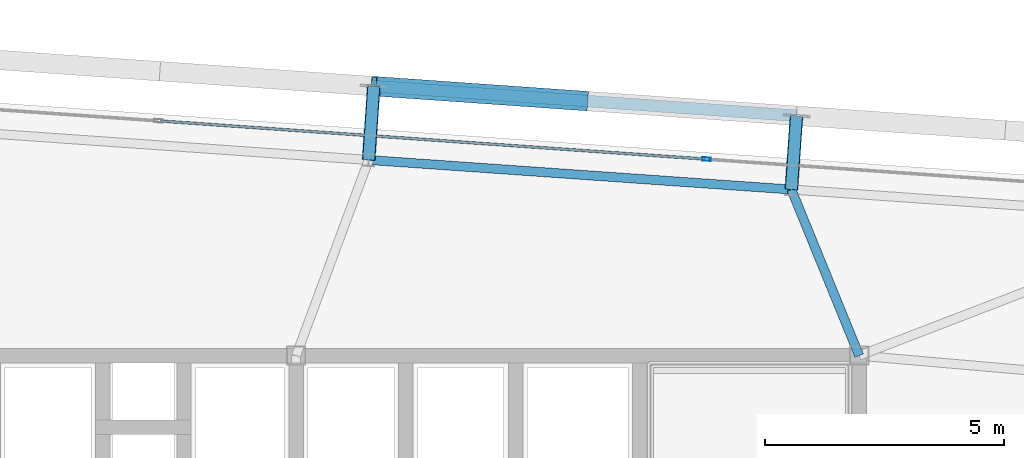
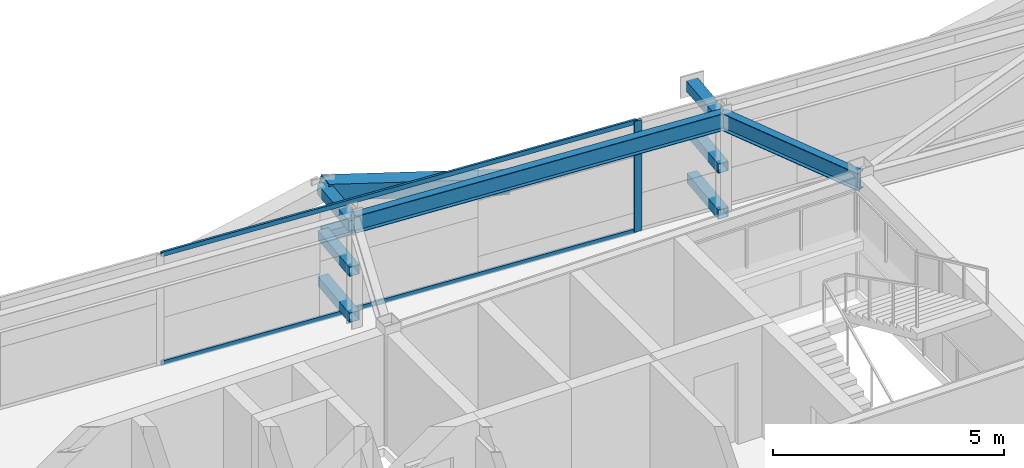
# One storey, part 23 of 39: 11 members, 2 beams, 1 element without a shape of its own.
"""IFC4 building model written with IfcOpenShell, lengths in metres."""

from ifc_helpers import new_model, si_unit, direction, frame, origin, origin_2d, place, context, subcontext, project, spatial, hollow_rectangle, i_section, extrude, source, transform, mapped, material, layer, layer_set, material_profile, profile_set, type_object, element, aggregate, save


model = new_model("IFC4")

# Units and contexts
model_context = context("Model", 3, precision=1e-05, world=origin(), true_north=direction((0.0, 1.0)))
body_context = subcontext(model_context, "Body", "Model", "MODEL_VIEW")
ifc_project = project(units=[si_unit("LENGTHUNIT", "METRE"), si_unit("AREAUNIT", "SQUARE_METRE"), si_unit("VOLUMEUNIT", "CUBIC_METRE"), si_unit("PLANEANGLEUNIT", "RADIAN"), si_unit("MASSUNIT", "GRAM", prefix="KILO")], contexts=[model_context])

# Site, building, storey
site_placement = place(None, origin())
site = spatial("IfcSite", under=ifc_project, at=site_placement, CompositionType="ELEMENT")
building_placement = place(site_placement, origin())
building = spatial("IfcBuilding", under=site, at=building_placement, Name="Taldren Reach Tower", CompositionType="ELEMENT")
storey_placement = place(building_placement, frame((0.0, 0.0, 133.0)))
storey = spatial("IfcBuildingStorey", under=building, at=storey_placement, Name="L40", CompositionType="ELEMENT", Elevation=133.0)

# Members
ifc_material_1 = material(Name="Steel Gr 450 (C450L0)", Category="steel")
ifc_material_profile_1 = material_profile(ifc_material_1, hollow_rectangle(XDim=0.27490234375, YDim=0.27490234375, WallThickness=0.00927734375, at=origin_2d()), Name="275x275x9.3SHS")
ifc_profile_set_1 = profile_set([ifc_material_profile_1], Name="Steel Gr 450 (C450L0)")
member_type_1 = type_object("IfcMemberType", Name="MB-TIE273", PredefinedType="STRUT", material=ifc_profile_set_1)
shared_shape_1 = source(origin(), body_context, "Body", "SweptSolid", [
    extrude(hollow_rectangle(XDim=0.27490234375, YDim=0.27490234375, WallThickness=0.00927734375, at=origin_2d()), origin(), (0.0, 0.0, 1.0), 1.550048828125),
])
for number, where, z_axis, x_axis, name in (
    (1, (40.7197265625, 36.100341796875, 2.64990234375), (0.06976957191, 0.99756313426, 0.0), (-0.99756313426, 0.06976957191, 0.0), "Exoskeleton diaphragm tie strut B3-N4 L40"),
    (2, (49.578125, 35.48095703125, 2.64990234375), (0.06976957191, 0.99756313426, 0.0), (-0.99756313426, 0.06976957191, 0.0), "Exoskeleton diaphragm tie strut B3-N5 L40"),
):
    element("IfcMember", number, at=place(storey_placement, frame(where, z_axis=z_axis, x_axis=x_axis)), inside=storey, type_object=member_type_1, Name=name, PredefinedType="STRUT", context=body_context, shape_type="MappedRepresentation", body=[
        mapped(shared_shape_1, transform((0.0, 0.0, 0.0), scale=1.0)),
    ])
ifc_material_2 = material(Name="Steel Gr 350 (C350L0)", Category="steel")
ifc_material_profile_2 = material_profile(ifc_material_2, hollow_rectangle(XDim=0.25, YDim=0.25, WallThickness=0.010009765625, at=origin_2d()), Name="250x250x10.0SHS")
ifc_profile_set_2 = profile_set([ifc_material_profile_2], Name="Steel Gr 350 (C350L0)")
member_type_2 = type_object("IfcMemberType", Name="MB-POST250", PredefinedType="POST", material=ifc_profile_set_2)
shared_shape_2 = source(origin(), body_context, "Body", "SweptSolid", [
    extrude(hollow_rectangle(XDim=0.25, YDim=0.25, WallThickness=0.010009765625, at=origin_2d()), origin(), (0.0, 0.0, 1.0), 1.550048828125),
])
for number, where, z_axis, x_axis, name in (
    (3, (40.7197265625, 36.100341796875, 0.219970703125), (0.06976957191, 0.99756313426, 0.0), (-0.99756313426, 0.06976957191, 0.0), "Exoskeleton base diaphragm tie strut B3-N4 L40"),
    (4, (49.578125, 35.48095703125, 0.219970703125), (0.06976957191, 0.99756313426, 0.0), (-0.99756313426, 0.06976957191, 0.0), "Exoskeleton base diaphragm tie strut B3-N5 L40"),
    (5, (40.7197265625, 36.100341796875, 1.43505859375), (0.06976957191, 0.99756313426, 0.0), (-0.99756313426, 0.06976957191, 0.0), "Exoskeleton mid-tier diaphragm tie B3-N4 L40"),
    (6, (49.578125, 35.48095703125, 1.43505859375), (0.06976957191, 0.99756313426, 0.0), (-0.99756313426, 0.06976957191, 0.0), "Exoskeleton mid-tier diaphragm tie B3-N5 L40"),
):
    element("IfcMember", number, at=place(storey_placement, frame(where, z_axis=z_axis, x_axis=x_axis)), inside=storey, type_object=member_type_2, Name=name, PredefinedType="POST", context=body_context, shape_type="MappedRepresentation", body=[
        mapped(shared_shape_2, transform((0.0, 0.0, 0.0), scale=1.0)),
    ])

# Beams
ifc_material_3 = material(Name="Steel Gr 350 (350PLUS)", Category="steel")
ifc_material_profile_3 = material_profile(ifc_material_3, i_section(OverallWidth=0.18994140625, OverallDepth=0.4541015625, WebThickness=0.008544921875, FlangeThickness=0.0126953125, at=origin_2d()), Name="460UB67.1")
ifc_profile_set_3 = profile_set([ifc_material_profile_3], Name="Steel Gr 350 (350PLUS)")
beam_type_1 = type_object("IfcBeamType", Name="SP-UB460B", PredefinedType="SPANDREL", material=ifc_profile_set_3)
shared_shape_3 = source(origin(), body_context, "Body", "SweptSolid", [
    extrude(i_section(OverallWidth=0.18994140625, OverallDepth=0.4541015625, WebThickness=0.008544921875, FlangeThickness=0.0126953125, at=origin_2d()), origin(), (0.0, 0.0, 1.0), 8.880126953125),
])
beam_1_placement = place(storey_placement, frame((49.578125, 35.48095703125, 2.702880859375), z_axis=(-0.997564479639, 0.069750333063, 0.0), x_axis=(-0.069750333063, -0.997564479639, 0.0)))
element("IfcBeam", 7, at=beam_1_placement, inside=storey, type_object=beam_type_1, Name="Perimeter spandrel B3 N5-N4 L40", PredefinedType="SPANDREL", context=body_context, shape_type="MappedRepresentation", body=[
    mapped(shared_shape_3, transform((0.0, 0.0, 0.0), scale=1.0)),
])
ifc_material_profile_4 = material_profile(ifc_material_3, i_section(OverallWidth=0.19091796875, OverallDepth=0.4599609375, WebThickness=0.010009765625, FlangeThickness=0.01611328125, at=origin_2d()), Name="460UB82.1")
ifc_profile_set_4 = profile_set([ifc_material_profile_4], Name="Steel Gr 350 (350PLUS)")
beam_type_2 = type_object("IfcBeamType", Name="BM-UB460A", PredefinedType="BEAM", material=ifc_profile_set_4)
shared_shape_4 = source(origin(), body_context, "Body", "SweptSolid", [
    extrude(i_section(OverallWidth=0.19091796875, OverallDepth=0.4599609375, WebThickness=0.010009765625, FlangeThickness=0.01611328125, at=origin_2d()), origin(), (0.0, 0.0, 1.0), 3.76025390625),
])
beam_2_placement = place(storey_placement, frame((51.0, 32.0, 2.699951171875), z_axis=(-0.37814232545, 0.925747471886, 0.0), x_axis=(-0.925747471886, -0.37814232545, 0.0)))
element("IfcBeam", 8, at=beam_2_placement, inside=storey, type_object=beam_type_2, Name="Primary floor girder B3-N5 L40", PredefinedType="BEAM", context=body_context, shape_type="MappedRepresentation", body=[
    mapped(shared_shape_4, transform((0.0, 0.0, 0.0), scale=1.0)),
])

# Members
shared_shape_5 = source(origin(), body_context, "Body", "SweptSolid", [
    extrude(hollow_rectangle(XDim=0.25, YDim=0.25, WallThickness=0.010009765625, at=origin_2d()), origin(), (0.0, 0.0, 1.0), 8.880126953125),
])
member_1_placement = place(storey_placement, frame((40.827880859375, 37.646728515625, 1.43505859375), z_axis=(0.997564479639, -0.069750333063, 0.0), x_axis=(0.069750333063, 0.997564479639, 0.0)))
element("IfcMember", 9, at=member_1_placement, inside=storey, type_object=member_type_2, Name="Exoskeleton mid-height ring chord B3-N4 L40", PredefinedType="POST", context=body_context, shape_type="MappedRepresentation", body=[
    mapped(shared_shape_5, transform((0.0, 0.0, 0.0), scale=1.0)),
])
ifc_material_profile_5 = material_profile(ifc_material_1, hollow_rectangle(XDim=0.409912109375, YDim=0.409912109375, WallThickness=0.01611328125, at=origin_2d()), Name="410x410x16.0SHS")
ifc_profile_set_5 = profile_set([ifc_material_profile_5], Name="Steel Gr 450 (C450L0)")
member_type_3 = type_object("IfcMemberType", Name="MB-EXO406", PredefinedType="BRACE", material=ifc_profile_set_5)
shared_shape_6 = source(origin(), body_context, "Body", "SweptSolid", [
    extrude(hollow_rectangle(XDim=0.409912109375, YDim=0.409912109375, WallThickness=0.01611328125, at=origin_2d()), origin(), (0.0, 0.0, 1.0), 4.603271484375),
])
member_2_placement = place(storey_placement, frame((45.257080078125, 37.3369140625, 1.43505859375), z_axis=(-0.962195820062, 0.067303852699, 0.263911718699), x_axis=(-0.06977769246, -0.997562566276, 0.0)))
element("IfcMember", 10, at=member_2_placement, inside=storey, type_object=member_type_3, Name="Exoskeleton Diagrid Brace B3-N4 L40", PredefinedType="BRACE", context=body_context, shape_type="MappedRepresentation", body=[
    mapped(shared_shape_6, transform((0.0, 0.0, 0.0), scale=1.0)),
])

# Curtain wall, members
ifc_material_4 = material(Name="Aluminium and Low-E Glass Unitised System", Category="aluminium")
ifc_layer = layer(ifc_material_4, 0.159912109375)
ifc_layer_set = layer_set([ifc_layer], Name="Aluminium and Low-E Glass Unitised System")
curtain_wall_type = type_object("IfcCurtainWallType", Name="CW-SYS-4", PredefinedType="NOTDEFINED", material=ifc_layer_set)
curtain_wall_placement = place(storey_placement, origin())
curtain_wall = element("IfcCurtainWall", 11, at=curtain_wall_placement, inside=storey, type_object=curtain_wall_type, Name="Unitised curtain wall CW-L40-N", PredefinedType="NOTDEFINED")
ifc_material_5 = material(Name="Anodised Aluminium 6063-T6", Category="aluminium")
ifc_material_profile_6 = material_profile(ifc_material_5, hollow_rectangle(XDim=0.054931640625, YDim=0.1201171875, WallThickness=0.0029296875, at=origin_2d()), Name="ALU-120x55x3RHS")
ifc_profile_set_6 = profile_set([ifc_material_profile_6], Name="Anodised Aluminium 6063-T6")
member_type_4 = type_object("IfcMemberType", Name="CW-TRN-135", PredefinedType="USERDEFINED", material=ifc_profile_set_6)
shared_shape_7 = source(origin(), body_context, "Body", "SweptSolid", [
    extrude(hollow_rectangle(XDim=0.054931640625, YDim=0.1201171875, WallThickness=0.0029296875, at=origin_2d()), origin(), (0.0, 0.0, 1.0), 11.429931640625),
])
member_3_placement = place(storey_placement, frame((47.76318359375, 36.119140625, 0.027587890625), z_axis=(-0.997563740938, 0.069760897114, 0.0), x_axis=(-0.069760897114, -0.997563740938, 0.0)))
member_3 = element("IfcMember", 12, at=member_3_placement, type_object=member_type_4, Name="CW-4 transom 2.1", ObjectType="TRANSOM", PredefinedType="USERDEFINED", context=body_context, shape_type="MappedRepresentation", body=[
    mapped(shared_shape_7, transform((0.0, 0.0, 0.0), scale=1.0)),
])
member_4_placement = place(storey_placement, frame((47.76318359375, 36.119140625, 2.902587890625), z_axis=(-0.997563740938, 0.069760897114, 0.0), x_axis=(-0.069760897114, -0.997563740938, 0.0)))
member_4 = element("IfcMember", 13, at=member_4_placement, type_object=member_type_4, Name="CW-4 transom 2.2", ObjectType="TRANSOM", PredefinedType="USERDEFINED", context=body_context, shape_type="MappedRepresentation", body=[
    mapped(shared_shape_7, transform((0.0, 0.0, 0.0), scale=1.0)),
])
ifc_material_profile_7 = material_profile(ifc_material_5, hollow_rectangle(XDim=0.070068359375, YDim=0.179931640625, WallThickness=0.00390625, at=origin_2d()), Name="ALU-180x70x4RHS")
ifc_profile_set_7 = profile_set([ifc_material_profile_7], Name="Anodised Aluminium 6063-T6")
member_type_5 = type_object("IfcMemberType", Name="CW-MUL-180", PredefinedType="MULLION", material=ifc_profile_set_7)
shared_shape_8 = source(origin(), body_context, "Body", "SweptSolid", [
    extrude(hollow_rectangle(XDim=0.070068359375, YDim=0.179931640625, WallThickness=0.00390625, at=origin_2d()), origin(), (0.0, 0.0, 1.0), 2.929931640625),
])
member_5_placement = place(storey_placement, frame((47.798095703125, 36.11669921875, 0.0), z_axis=(0.0, 0.0, 1.0), x_axis=(-0.06975651593, -0.99756404731, 0.0)))
member_5 = element("IfcMember", 14, at=member_5_placement, type_object=member_type_5, Name="CW-4 mullion 2", PredefinedType="MULLION", context=body_context, shape_type="MappedRepresentation", body=[
    mapped(shared_shape_8, transform((0.0, 0.0, 0.0), scale=1.0)),
])
aggregate(curtain_wall, [member_5, member_3, member_4])

save(model, "model.ifc")
